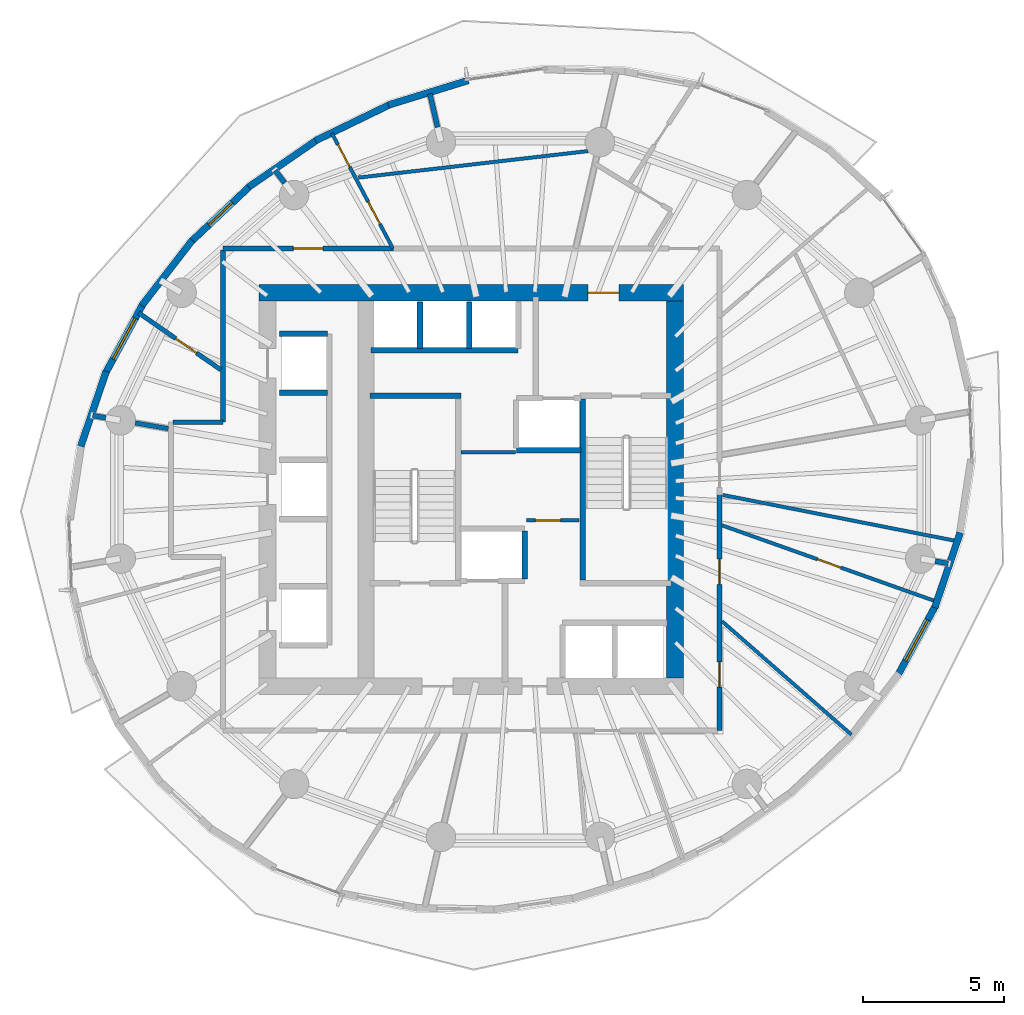
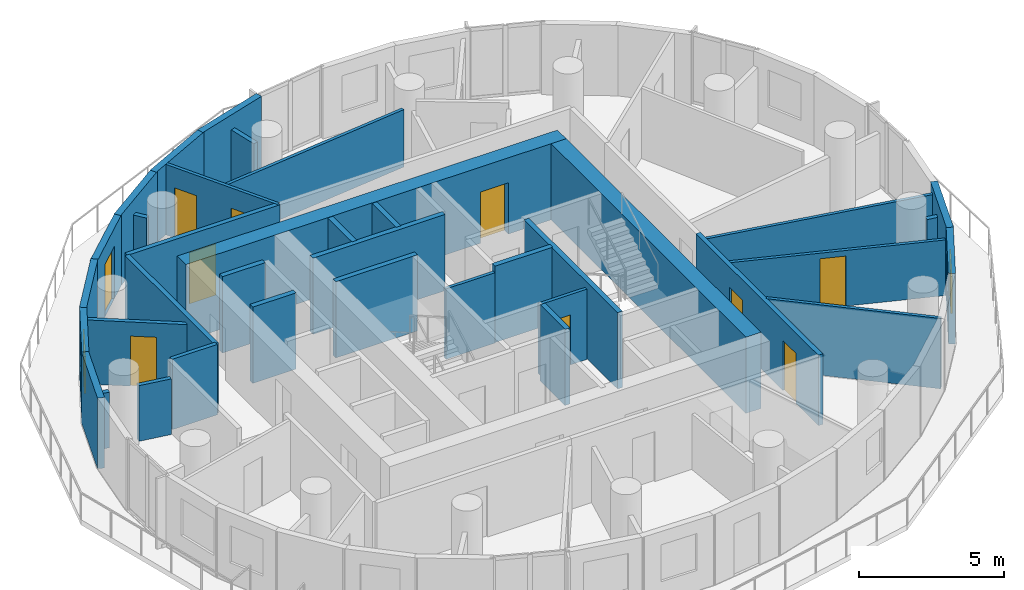
# One storey, part 7 of 14: 37 walls, 10 doors, 2 windows, 12 openings.
"""IFC4 building model written with IfcOpenShell, lengths in metres."""

from ifc_helpers import new_model, si_unit, direction, frame, frame_2d, origin, place, context, subcontext, project, spatial, rectangle, extrude, material, layer, layer_set, type_object, element, fill, save


model = new_model("IFC4")

# Units and contexts
model_context = context("Model", 3, precision=1e-05, world=origin(), true_north=direction((0.0, 1.0)))
body_context = subcontext(model_context, "Body", "Model", "MODEL_VIEW")
ifc_project = project(units=[si_unit("LENGTHUNIT", "METRE"), si_unit("AREAUNIT", "SQUARE_METRE"), si_unit("VOLUMEUNIT", "CUBIC_METRE"), si_unit("PLANEANGLEUNIT", "RADIAN"), si_unit("MASSUNIT", "GRAM", prefix="KILO")], contexts=[model_context])

# Site, building, storey
site_placement = place(None, origin())
site = spatial("IfcSite", under=ifc_project, at=site_placement, CompositionType="ELEMENT")
building_placement = place(site_placement, origin())
building = spatial("IfcBuilding", under=site, at=building_placement, Name="Veldorim Arch Residences", CompositionType="ELEMENT")
storey_placement = place(building_placement, frame((0.0, 0.0, 123.360107421875)))
storey = spatial("IfcBuildingStorey", under=building, at=storey_placement, Name="L36", CompositionType="ELEMENT", Elevation=123.360107421875)

# Wall, opening, door
ifc_material_1 = material(Name="Acoustic Gypsum Board", Category="gypsum")
ifc_layer_1 = layer(ifc_material_1, 0.125, Name="Acoustic Stud Room Partition Wall 125")
ifc_layer_set_1 = layer_set([ifc_layer_1], Name="Acoustic Gypsum Board")
wall_type_1 = type_object("IfcWallType", Name="Acoustic Stud Room Partition Wall 125", PredefinedType="PARTITIONING", material=ifc_layer_set_1)
wall_1_placement = place(storey_placement, frame((32.219970703125, 22.89990234375, 0.0), z_axis=(0.0, 0.0, 1.0), x_axis=(1.0, 0.0, 0.0)))
wall_1 = element("IfcWall", 1, at=wall_1_placement, inside=storey, type_object=wall_type_1, Name="L36 interior wall WL-CA-L36-2", PredefinedType="PARTITIONING", context=body_context, shape_type="SweptSolid", body=[
    extrude(rectangle(XDim=1.860107421875, YDim=0.125, at=frame_2d((0.93017578125, 0.0))), origin(), (0.0, 0.0, 1.0), 2.954833984375),
])
opening_1_placement = place(wall_1_placement, frame((0.31005859375, 0.0, 0.0)))
opening_1 = element("IfcOpeningElement", 2, at=opening_1_placement, cuts=wall_1, Name="Opening DR-SVC", PredefinedType="OPENING", context=body_context, shape_type="SweptSolid", body=[
    extrude(rectangle(XDim=0.89990234375, YDim=2.10009765625, at=frame_2d((0.449951171875, 1.050048828125))), frame((0.0, 0.072509765625, 0.0), z_axis=(0.0, -1.0, 0.0), x_axis=(1.0, 0.0, 0.0)), (0.0, 0.0, 1.0), 0.14501953125),
])
ifc_material_2 = material(Name="Fire-Rated Steel", Category="steel")
door_type_1 = type_object("IfcDoorType", Name="Riser, Shelter & Plant Room Rated Steel Door 900x2100", OperationType="SINGLE_SWING_LEFT", PredefinedType="DOOR", material=ifc_material_2)
door_1_placement = place(opening_1_placement, origin())
door_1 = element("IfcDoor", 3, at=door_1_placement, inside=storey, type_object=door_type_1, Name="L36 interior door DR-L36-CA1", OperationType="SINGLE_SWING_RIGHT", OverallHeight=2.10009765625, OverallWidth=0.89990234375, PredefinedType="DOOR", context=body_context, shape_type="SweptSolid", body=[
    extrude(rectangle(XDim=0.89990234375, YDim=2.10009765625, at=frame_2d((0.449951171875, 1.050048828125))), frame((0.0, 0.02490234375, 0.0), z_axis=(0.0, -1.0, 0.0), x_axis=(1.0, 0.0, 0.0)), (0.0, 0.0, 1.0), 0.050048828125),
])
fill(opening_1, door_1)

# Walls
wall_2_placement = place(storey_placement, frame((29.889892578125, 25.330078125, 0.0), z_axis=(0.0, 0.0, 1.0), x_axis=(1.0, 0.0, 0.0)))
element("IfcWall", 4, at=wall_2_placement, inside=storey, type_object=wall_type_1, Name="L36 interior wall WL-CA-L36-N", PredefinedType="PARTITIONING", context=body_context, shape_type="SweptSolid", body=[
    extrude(rectangle(XDim=1.940185546875, YDim=0.125, at=frame_2d((0.97021484375, 0.0))), origin(), (0.0, 0.0, 1.0), 2.954833984375),
])
wall_3_placement = place(storey_placement, frame((43.77490234375, 15.27734375, 0.0), z_axis=(0.0, 0.0, 1.0), x_axis=(-0.752092313191, 0.659057776252, 0.0)))
element("IfcWall", 5, at=wall_3_placement, inside=storey, type_object=wall_type_1, Name="L36 interior wall WL-RES-L36-013", PredefinedType="PARTITIONING", context=body_context, shape_type="SweptSolid", body=[
    extrude(rectangle(XDim=6.122314453125, YDim=0.125, at=frame_2d((3.06103515625, 0.0))), origin(), (0.0, 0.0, 1.0), 2.954833984375),
])

# Wall, opening, door
wall_4_placement = place(storey_placement, frame((39.17431640625, 22.723388671875, 0.0), z_axis=(0.0, 0.0, 1.0), x_axis=(0.942245152982, -0.334923978959, 0.0)))
wall_4 = element("IfcWall", 6, at=wall_4_placement, inside=storey, type_object=wall_type_1, Name="L36 interior wall WL-RES-L36-014", PredefinedType="PARTITIONING", context=body_context, shape_type="SweptSolid", body=[
    extrude(rectangle(XDim=8.09423828125, YDim=0.125, at=frame_2d((4.047119140625, 0.0))), origin(), (0.0, 0.0, 1.0), 2.335693359375),
])
opening_2_placement = place(wall_4_placement, frame((3.59716796875, 0.0, 0.0)))
opening_2 = element("IfcOpeningElement", 7, at=opening_2_placement, cuts=wall_4, Name="Opening DR-SVC", PredefinedType="OPENING", context=body_context, shape_type="SweptSolid", body=[
    extrude(rectangle(XDim=0.89990234375, YDim=2.10009765625, at=frame_2d((0.449951171875, 1.050048828125))), frame((0.0, 0.072509765625, 0.0), z_axis=(0.0, -1.0, 0.0), x_axis=(1.0, 0.0, 0.0)), (0.0, 0.0, 1.0), 0.14501953125),
])
door_2_placement = place(opening_2_placement, origin())
door_2 = element("IfcDoor", 8, at=door_2_placement, inside=storey, type_object=door_type_1, Name="L36 interior door DR-RES-L36-006", OperationType="SINGLE_SWING_RIGHT", OverallHeight=2.10009765625, OverallWidth=0.89990234375, PredefinedType="DOOR", context=body_context, shape_type="SweptSolid", body=[
    extrude(rectangle(XDim=0.89990234375, YDim=2.10009765625, at=frame_2d((0.449951171875, 1.050048828125))), frame((0.0, 0.02490234375, 0.0), z_axis=(0.0, -1.0, 0.0), x_axis=(1.0, 0.0, 0.0)), (0.0, 0.0, 1.0), 0.050048828125),
])
fill(opening_2, door_2)

# Wall
wall_5_placement = place(storey_placement, frame((47.53125, 22.163330078125, 0.0), z_axis=(0.0, 0.0, 1.0), x_axis=(-0.981139353497, 0.19330175638, 0.0)))
element("IfcWall", 9, at=wall_5_placement, inside=storey, type_object=wall_type_1, Name="L36 interior wall WL-RES-L36-018", PredefinedType="PARTITIONING", context=body_context, shape_type="SweptSolid", body=[
    extrude(rectangle(XDim=8.49365234375, YDim=0.125, at=frame_2d((4.246826171875, 0.0))), origin(), (0.0, 0.0, 1.0), 2.69189453125),
])

# Wall, openings, doors
wall_6_placement = place(storey_placement, frame((25.287353515625, 36.6796875, 0.0), z_axis=(0.0, 0.0, 1.0), x_axis=(0.467870793746, -0.88379687732, 0.0)))
wall_6 = element("IfcWall", 10, at=wall_6_placement, inside=storey, type_object=wall_type_1, Name="L36 interior wall WL-RES-L36-027", PredefinedType="PARTITIONING", context=body_context, shape_type="SweptSolid", body=[
    extrude(rectangle(XDim=4.638916015625, YDim=0.125, at=frame_2d((2.3193359375, 0.0))), origin(), (0.0, 0.0, 1.0), 2.954833984375),
])
opening_3_placement = place(wall_6_placement, frame((0.462646484375, 0.0, 0.0)))
opening_3 = element("IfcOpeningElement", 11, at=opening_3_placement, cuts=wall_6, Name="Opening DR-INT", PredefinedType="OPENING", context=body_context, shape_type="SweptSolid", body=[
    extrude(rectangle(XDim=0.89990234375, YDim=2.10009765625, at=frame_2d((0.449951171875, 1.050048828125))), frame((0.0, 0.072509765625, 0.0), z_axis=(0.0, -1.0, 0.0), x_axis=(1.0, 0.0, 0.0)), (0.0, 0.0, 1.0), 0.14501953125),
])
opening_4_placement = place(wall_6_placement, frame((2.761474609375, 0.0, 0.0)))
opening_4 = element("IfcOpeningElement", 12, at=opening_4_placement, cuts=wall_6, Name="Opening DR-INT", PredefinedType="OPENING", context=body_context, shape_type="SweptSolid", body=[
    extrude(rectangle(XDim=0.89990234375, YDim=2.10009765625, at=frame_2d((0.449951171875, 1.050048828125))), frame((0.0, 0.072509765625, 0.0), z_axis=(0.0, -1.0, 0.0), x_axis=(1.0, 0.0, 0.0)), (0.0, 0.0, 1.0), 0.14501953125),
])
ifc_material_3 = material(Name="Engineered Timber", Category="wood")
door_type_2 = type_object("IfcDoorType", Name="Apartment Internal Room Timber Door 900x2100", OperationType="SINGLE_SWING_LEFT", PredefinedType="DOOR", material=ifc_material_3)
door_3_placement = place(opening_3_placement, origin())
door_3 = element("IfcDoor", 13, at=door_3_placement, inside=storey, type_object=door_type_2, Name="L36 interior door DR-RES-L36-014", OperationType="SINGLE_SWING_RIGHT", OverallHeight=2.10009765625, OverallWidth=0.89990234375, PredefinedType="DOOR", context=body_context, shape_type="SweptSolid", body=[
    extrude(rectangle(XDim=0.89990234375, YDim=2.10009765625, at=frame_2d((0.449951171875, 1.050048828125))), frame((0.0, 0.02490234375, 0.0), z_axis=(0.0, -1.0, 0.0), x_axis=(1.0, 0.0, 0.0)), (0.0, 0.0, 1.0), 0.050048828125),
])
fill(opening_3, door_3)
door_4_placement = place(opening_4_placement, origin())
door_4 = element("IfcDoor", 14, at=door_4_placement, inside=storey, type_object=door_type_2, Name="L36 interior door DR-RES-L36-015", OperationType="SINGLE_SWING_LEFT", OverallHeight=2.10009765625, OverallWidth=0.89990234375, PredefinedType="DOOR", context=body_context, shape_type="SweptSolid", body=[
    extrude(rectangle(XDim=0.89990234375, YDim=2.10009765625, at=frame_2d((0.449951171875, 1.050048828125))), frame((0.0, 0.02490234375, 0.0), z_axis=(0.0, -1.0, 0.0), x_axis=(1.0, 0.0, 0.0)), (0.0, 0.0, 1.0), 0.050048828125),
])
fill(opening_4, door_4)

# Walls
wall_7_placement = place(storey_placement, frame((34.405029296875, 36.041015625, 0.0), z_axis=(0.0, 0.0, 1.0), x_axis=(-0.993396455776, -0.114732217146, 0.0)))
element("IfcWall", 15, at=wall_7_placement, inside=storey, type_object=wall_type_1, Name="L36 interior wall WL-RES-L36-029", PredefinedType="PARTITIONING", context=body_context, shape_type="SweptSolid", body=[
    extrude(rectangle(XDim=8.228759765625, YDim=0.125, at=frame_2d((4.1142578125, 0.0))), origin(), (0.0, 0.0, 1.0), 2.4111328125),
])
ifc_material_4 = material(Name="Lightweight Masonry Block & Gypsum", Category="masonry")
ifc_layer_2 = layer(ifc_material_4, 0.179931640625, Name="Compartment & Corridor Fire-Rated Party Wall 180")
ifc_layer_set_2 = layer_set([ifc_layer_2], Name="Lightweight Masonry Block & Gypsum")
wall_type_2 = type_object("IfcWallType", Name="Compartment & Corridor Fire-Rated Party Wall 180", PredefinedType="PARTITIONING", material=ifc_layer_set_2)
wall_8_placement = place(storey_placement, frame((29.049560546875, 36.88916015625, 0.0), z_axis=(0.0, 0.0, 1.0), x_axis=(-0.223107064029, 0.974793946422, 0.0)))
element("IfcWall", 16, at=wall_8_placement, inside=storey, type_object=wall_type_2, Name="L36 interior wall WL-PIER-L36-05", PredefinedType="PARTITIONING", context=body_context, shape_type="SweptSolid", body=[
    extrude(rectangle(XDim=1.22119140625, YDim=0.179931640625, at=frame_2d((0.610595703125, 0.0))), origin(), (0.0, 0.0, 1.0), 2.335693359375),
])
wall_9_placement = place(storey_placement, frame((23.612060546875, 34.908447265625, 0.0), z_axis=(0.0, 0.0, 1.0), x_axis=(-0.609498830183, 0.792786967605, 0.0)))
element("IfcWall", 17, at=wall_9_placement, inside=storey, type_object=wall_type_2, Name="L36 interior wall WL-PIER-L36-06", PredefinedType="PARTITIONING", context=body_context, shape_type="SweptSolid", body=[
    extrude(rectangle(XDim=0.556884765625, YDim=0.179931640625, at=frame_2d((0.2783203125, 0.0))), origin(), (0.0, 0.0, 1.0), 2.335693359375),
])
for number, where, z_axis, x_axis, name in (
    (18, (17.24169921875, 26.55078125, 0.0), (0.0, 0.0, 1.0), (-0.985345448397, 0.170570651999, 0.0), "L36 interior wall WL-PIER-L36-08"),
    (19, (46.75830078125, 21.44921875, 0.0), (0.0, 0.0, 1.0), (0.985345448397, -0.170570651999, 0.0), "L36 interior wall WL-PIER-L36-16"),
):
    element("IfcWall", number, at=place(storey_placement, frame(where, z_axis=z_axis, x_axis=x_axis)), inside=storey, type_object=wall_type_2, Name=name, PredefinedType="PARTITIONING", context=body_context, shape_type="SweptSolid", body=[
        extrude(rectangle(XDim=0.468017578125, YDim=0.179931640625, at=frame_2d((0.23388671875, 0.0))), origin(), (0.0, 0.0, 1.0), 2.335693359375),
    ])

# Wall, openings, doors
wall_10_placement = place(storey_placement, frame((39.080078125, 23.848388671875, 0.0), z_axis=(0.0, 0.0, 1.0), x_axis=(0.0, -1.0, 0.0)))
wall_10 = element("IfcWall", 20, at=wall_10_placement, inside=storey, type_object=wall_type_2, Name="L36 interior wall WL-RES-L36-001", PredefinedType="PARTITIONING", context=body_context, shape_type="SweptSolid", body=[
    extrude(rectangle(XDim=8.428466796875, YDim=0.179931640625, at=frame_2d((4.21435546875, 0.0))), origin(), (0.0, 0.0, 1.0), 2.954833984375),
])
opening_5_placement = place(wall_10_placement, frame((2.327392578125, 0.0, 0.0)))
opening_5 = element("IfcOpeningElement", 21, at=opening_5_placement, cuts=wall_10, Name="Opening DR-SVC", PredefinedType="OPENING", context=body_context, shape_type="SweptSolid", body=[
    extrude(rectangle(XDim=0.89990234375, YDim=2.10009765625, at=frame_2d((0.449951171875, 1.050048828125))), frame((0.0, 0.099853515625, 0.0), z_axis=(0.0, -1.0, 0.0), x_axis=(1.0, 0.0, 0.0)), (0.0, 0.0, 1.0), 0.199951171875),
])
opening_6_placement = place(wall_10_placement, frame((5.982666015625, 0.0, 0.0)))
opening_6 = element("IfcOpeningElement", 22, at=opening_6_placement, cuts=wall_10, Name="Opening DR-INT", PredefinedType="OPENING", context=body_context, shape_type="SweptSolid", body=[
    extrude(rectangle(XDim=0.89990234375, YDim=2.10009765625, at=frame_2d((0.449951171875, 1.050048828125))), frame((0.0, 0.099853515625, 0.0), z_axis=(0.0, -1.0, 0.0), x_axis=(1.0, 0.0, 0.0)), (0.0, 0.0, 1.0), 0.199951171875),
])
door_5_placement = place(opening_6_placement, origin())
door_5 = element("IfcDoor", 23, at=door_5_placement, inside=storey, type_object=door_type_2, Name="L36 interior door DR-RES-L36-002", OperationType="SINGLE_SWING_RIGHT", OverallHeight=2.10009765625, OverallWidth=0.89990234375, PredefinedType="DOOR", context=body_context, shape_type="SweptSolid", body=[
    extrude(rectangle(XDim=0.89990234375, YDim=2.10009765625, at=frame_2d((0.449951171875, 1.050048828125))), frame((0.0, 0.02490234375, 0.0), z_axis=(0.0, -1.0, 0.0), x_axis=(1.0, 0.0, 0.0)), (0.0, 0.0, 1.0), 0.050048828125),
])
fill(opening_6, door_5)
door_6_placement = place(opening_5_placement, origin())
door_6 = element("IfcDoor", 24, at=door_6_placement, inside=storey, type_object=door_type_1, Name="L36 interior door DR-RES-L36-001", OperationType="SINGLE_SWING_LEFT", OverallHeight=2.10009765625, OverallWidth=0.89990234375, PredefinedType="DOOR", context=body_context, shape_type="SweptSolid", body=[
    extrude(rectangle(XDim=0.89990234375, YDim=2.10009765625, at=frame_2d((0.449951171875, 1.050048828125))), frame((0.0, 0.02490234375, 0.0), z_axis=(0.0, -1.0, 0.0), x_axis=(1.0, 0.0, 0.0)), (0.0, 0.0, 1.0), 0.050048828125),
])
fill(opening_5, door_6)

# Wall, opening, door
wall_11_placement = place(storey_placement, frame((21.419921875, 32.580078125, 0.0), z_axis=(0.0, 0.0, 1.0), x_axis=(1.0, 0.0, 0.0)))
wall_11 = element("IfcWall", 25, at=wall_11_placement, inside=storey, type_object=wall_type_2, Name="L36 interior wall WL-RES-L36-006", PredefinedType="PARTITIONING", context=body_context, shape_type="SweptSolid", body=[
    extrude(rectangle(XDim=6.057861328125, YDim=0.179931640625, at=frame_2d((3.02880859375, 0.0))), origin(), (0.0, 0.0, 1.0), 2.954833984375),
])
opening_7_placement = place(wall_11_placement, frame((2.50390625, 0.0, 0.0)))
opening_7 = element("IfcOpeningElement", 26, at=opening_7_placement, cuts=wall_11, Name="Opening DR-FLT", PredefinedType="OPENING", context=body_context, shape_type="SweptSolid", body=[
    extrude(rectangle(XDim=1.050048828125, YDim=2.14990234375, at=frame_2d((0.52490234375, 1.074951171875))), frame((0.0, 0.099853515625, 0.0), z_axis=(0.0, -1.0, 0.0), x_axis=(1.0, 0.0, 0.0)), (0.0, 0.0, 1.0), 0.199951171875),
])
ifc_material_5 = material(Name="Fire-Rated Timber", Category="wood")
door_type_3 = type_object("IfcDoorType", Name="Apartment Entrance Solid-Core Fire Door 1050x2150", OperationType="SINGLE_SWING_LEFT", PredefinedType="DOOR", material=ifc_material_5)
door_7_placement = place(opening_7_placement, origin())
door_7 = element("IfcDoor", 27, at=door_7_placement, inside=storey, type_object=door_type_3, Name="L36 interior door DR-RES-L36-012", OperationType="SINGLE_SWING_RIGHT", OverallHeight=2.14990234375, OverallWidth=1.050048828125, PredefinedType="DOOR", context=body_context, shape_type="SweptSolid", body=[
    extrude(rectangle(XDim=1.050048828125, YDim=2.14990234375, at=frame_2d((0.52490234375, 1.074951171875))), frame((0.0, 0.02490234375, 0.0), z_axis=(0.0, -1.0, 0.0), x_axis=(1.0, 0.0, 0.0)), (0.0, 0.0, 1.0), 0.050048828125),
])
fill(opening_7, door_7)

# Walls
wall_12_placement = place(storey_placement, frame((21.419921875, 26.39990234375, 0.0), z_axis=(0.0, 0.0, 1.0), x_axis=(0.0, 1.0, 0.0)))
element("IfcWall", 28, at=wall_12_placement, inside=storey, type_object=wall_type_2, Name="L36 interior wall WL-RES-L36-007", PredefinedType="PARTITIONING", context=body_context, shape_type="SweptSolid", body=[
    extrude(rectangle(XDim=6.1201171875, YDim=0.179931640625, at=frame_2d((3.06005859375, 0.0))), origin(), (0.0, 0.0, 1.0), 2.954833984375),
])
ifc_material_6 = material(Name="Concrete C50/60", Category="concrete")
ifc_layer_3 = layer(ifc_material_6, 0.199951171875, Name="Core Stair & Lift Shaft Enclosure Wall 200")
ifc_layer_set_3 = layer_set([ifc_layer_3], Name="Concrete C50/60")
wall_type_3 = type_object("IfcWallType", Name="Core Stair & Lift Shaft Enclosure Wall 200", PredefinedType="SHEAR", material=ifc_layer_set_3)
wall_13_placement = place(storey_placement, frame((26.64990234375, 27.330078125, 0.0), z_axis=(0.0, 0.0, 1.0), x_axis=(1.0, 0.0, 0.0)))
element("IfcWall", 29, at=wall_13_placement, inside=storey, type_object=wall_type_3, Name="L36 shaft wall WL-SHF-L36-ST1-N", PredefinedType="SHEAR", context=body_context, shape_type="SweptSolid", body=[
    extrude(rectangle(XDim=3.239990234375, YDim=0.199951171875, at=frame_2d((1.6201171875, 0.0))), origin(), (0.0, 0.0, 1.0), 3.199951171875),
])
wall_14_placement = place(storey_placement, frame((34.2099609375, 20.780029296875, 0.0), z_axis=(0.0, 0.0, 1.0), x_axis=(0.0, 1.0, 0.0)))
element("IfcWall", 30, at=wall_14_placement, inside=storey, type_object=wall_type_3, Name="L36 shaft wall WL-SHF-L36-ST2-W", PredefinedType="SHEAR", context=body_context, shape_type="SweptSolid", body=[
    extrude(rectangle(XDim=6.43994140625, YDim=0.199951171875, at=frame_2d((3.219970703125, 0.0))), origin(), (0.0, 0.0, 1.0), 3.199951171875),
])
wall_15_placement = place(storey_placement, frame((32.14990234375, 20.820068359375, 0.0), z_axis=(0.0, 0.0, 1.0), x_axis=(0.0, 1.0, 0.0)))
element("IfcWall", 31, at=wall_15_placement, inside=storey, type_object=wall_type_3, Name="L36 shaft wall WL-FL01-L36-E", PredefinedType="SHEAR", context=body_context, shape_type="SweptSolid", body=[
    extrude(rectangle(XDim=1.7099609375, YDim=0.199951171875, at=frame_2d((0.85498046875, 0.0))), origin(), (0.0, 0.0, 1.0), 3.199951171875),
])
wall_16_placement = place(storey_placement, frame((31.85009765625, 25.39990234375, 0.0), z_axis=(0.0, 0.0, 1.0), x_axis=(1.0, 0.0, 0.0)))
element("IfcWall", 32, at=wall_16_placement, inside=storey, type_object=wall_type_3, Name="L36 shaft wall WL-FL02-L36-S", PredefinedType="SHEAR", context=body_context, shape_type="SweptSolid", body=[
    extrude(rectangle(XDim=2.2998046875, YDim=0.199951171875, at=frame_2d((1.14990234375, 0.0))), origin(), (0.0, 0.0, 1.0), 3.199951171875),
])
for number, where, z_axis, x_axis, name in (
    (33, (23.419921875, 29.5400390625, 0.0), (0.0, 0.0, 1.0), (1.0, 0.0, 0.0), "L36 shaft wall WL-B2-L36-N"),
    (34, (23.419921875, 27.43994140625, 0.0), (0.0, 0.0, 1.0), (1.0, 0.0, 0.0), "L36 shaft wall WL-B2-L36-D2B"),
):
    element("IfcWall", number, at=place(storey_placement, frame(where, z_axis=z_axis, x_axis=x_axis)), inside=storey, type_object=wall_type_3, Name=name, PredefinedType="SHEAR", context=body_context, shape_type="SweptSolid", body=[
        extrude(rectangle(XDim=1.7099609375, YDim=0.199951171875, at=frame_2d((0.85498046875, 0.0))), origin(), (0.0, 0.0, 1.0), 3.199951171875),
    ])
wall_17_placement = place(storey_placement, frame((26.679931640625, 28.949951171875, 0.0), z_axis=(0.0, 0.0, 1.0), x_axis=(1.0, 0.0, 0.0)))
element("IfcWall", 35, at=wall_17_placement, inside=storey, type_object=wall_type_3, Name="L36 shaft wall WL-B3-L36-S", PredefinedType="SHEAR", context=body_context, shape_type="SweptSolid", body=[
    extrude(rectangle(XDim=5.239990234375, YDim=0.199951171875, at=frame_2d((2.6201171875, 0.0))), origin(), (0.0, 0.0, 1.0), 3.199951171875),
])
for number, where, z_axis, x_axis, name in (
    (36, (28.425048828125, 29.02001953125, 0.0), (0.0, 0.0, 1.0), (0.0, 1.0, 0.0), "L36 shaft wall WL-B3-L36-D1"),
    (37, (30.175048828125, 29.02001953125, 0.0), (0.0, 0.0, 1.0), (0.0, 1.0, 0.0), "L36 shaft wall WL-B3-L36-D2"),
):
    element("IfcWall", number, at=place(storey_placement, frame(where, z_axis=z_axis, x_axis=x_axis)), inside=storey, type_object=wall_type_3, Name=name, PredefinedType="SHEAR", context=body_context, shape_type="SweptSolid", body=[
        extrude(rectangle(XDim=1.659912109375, YDim=0.199951171875, at=frame_2d((0.830078125, 0.0))), origin(), (0.0, 0.0, 1.0), 3.199951171875),
    ])

# Wall, opening, door
ifc_material_7 = material(Name="Concrete C50/60", Category="concrete")
ifc_layer_4 = layer(ifc_material_7, 0.60009765625, Name="Mid-Upper Central Core Shear Wall 600")
ifc_layer_set_4 = layer_set([ifc_layer_4], Name="Concrete C50/60")
wall_type_4 = type_object("IfcWallType", Name="Mid-Upper Central Core Shear Wall 600", PredefinedType="SHEAR", material=ifc_layer_set_4)
wall_18_placement = place(storey_placement, frame((22.699951171875, 31.0, 0.0), z_axis=(0.0, 0.0, 1.0), x_axis=(1.0, 0.0, 0.0)))
wall_18 = element("IfcWall", 38, at=wall_18_placement, inside=storey, type_object=wall_type_4, Name="L36 central core north shear wall", PredefinedType="SHEAR", context=body_context, shape_type="SweptSolid", body=[
    extrude(rectangle(XDim=15.10009765625, YDim=0.60009765625, at=frame_2d((7.550048828125, 0.0))), origin(), (0.0, 0.0, 1.0), 3.199951171875),
])
opening_8_placement = place(wall_18_placement, frame((11.699951171875, 0.0, 0.0)))
opening_8 = element("IfcOpeningElement", 39, at=opening_8_placement, cuts=wall_18, Name="Opening DR-FFL", PredefinedType="OPENING", context=body_context, shape_type="SweptSolid", body=[
    extrude(rectangle(XDim=1.10009765625, YDim=2.14990234375, at=frame_2d((0.550048828125, 1.074951171875))), frame((0.0, 0.31005859375, 0.0), z_axis=(0.0, -1.0, 0.0), x_axis=(1.0, 0.0, 0.0)), (0.0, 0.0, 1.0), 0.6201171875),
])
ifc_material_8 = material(Name="Fire-Rated Steel & Vision Glass", Category="steel")
door_type_4 = type_object("IfcDoorType", Name="Firefighting Lobby Smoke-Stop Fire Door 1100x2150", OperationType="SINGLE_SWING_LEFT", PredefinedType="DOOR", material=ifc_material_8)
door_8_placement = place(opening_8_placement, origin())
door_8 = element("IfcDoor", 40, at=door_8_placement, inside=storey, type_object=door_type_4, Name="L36 interior door DR-L36-FFL2", OperationType="SINGLE_SWING_LEFT", OverallHeight=2.14990234375, OverallWidth=1.10009765625, PredefinedType="DOOR", context=body_context, shape_type="SweptSolid", body=[
    extrude(rectangle(XDim=1.10009765625, YDim=2.14990234375, at=frame_2d((0.550048828125, 1.074951171875))), frame((0.0, 0.02490234375, 0.0), z_axis=(0.0, -1.0, 0.0), x_axis=(1.0, 0.0, 0.0)), (0.0, 0.0, 1.0), 0.050048828125),
])
fill(opening_8, door_8)

# Walls
wall_19_placement = place(storey_placement, frame((37.5, 17.300048828125, 0.0), z_axis=(0.0, 0.0, 1.0), x_axis=(0.0, 1.0, 0.0)))
element("IfcWall", 41, at=wall_19_placement, inside=storey, type_object=wall_type_4, Name="L36 central core east shear wall", PredefinedType="SHEAR", context=body_context, shape_type="SweptSolid", body=[
    extrude(rectangle(XDim=13.39990234375, YDim=0.60009765625, at=frame_2d((6.699951171875, 0.0))), origin(), (0.0, 0.0, 1.0), 3.199951171875),
])
ifc_material_9 = material(Name="Precast concrete C40/50", Category="concrete")
ifc_layer_5 = layer(ifc_material_9, 0.25, Name="Tower Terracotta Spandrel & Pier Wall 250")
ifc_layer_set_5 = layer_set([ifc_layer_5], Name="Precast concrete C40/50")
wall_type_5 = type_object("IfcWallType", Name="Tower Terracotta Spandrel & Pier Wall 250", PredefinedType="SOLIDWALL", material=ifc_layer_set_5)
wall_20_placement = place(storey_placement, frame((27.297607421875, 37.681396484375, 0.0), z_axis=(0.0, 0.0, 1.0), x_axis=(0.955653025963, 0.294494981227, 0.0)))
element("IfcWall", 42, at=wall_20_placement, inside=storey, type_object=wall_type_5, Name="L36 terracotta facade wall 08", PredefinedType="SOLIDWALL", context=body_context, shape_type="SweptSolid", body=[
    extrude(rectangle(XDim=2.97705078125, YDim=0.25, at=frame_2d((1.488525390625, 0.0))), origin(), (0.0, 0.0, 1.0), 2.9599609375),
])
for number, where, z_axis, x_axis, name in (
    (43, (24.701416015625, 36.412109375, 0.0), (0.0, 0.0, 1.0), (0.899657133161, 0.436597117206, 0.0), "L36 terracotta facade wall 09"),
    (44, (22.3271484375, 34.7646484375, 0.0), (0.0, 0.0, 1.0), (0.823228532994, 0.567710121863, 0.0), "L36 terracotta facade wall 10"),
):
    element("IfcWall", number, at=place(storey_placement, frame(where, z_axis=z_axis, x_axis=x_axis)), inside=storey, type_object=wall_type_5, Name=name, PredefinedType="SOLIDWALL", context=body_context, shape_type="SweptSolid", body=[
        extrude(rectangle(XDim=2.998291015625, YDim=0.25, at=frame_2d((1.4990234375, 0.0))), origin(), (0.0, 0.0, 1.0), 2.9599609375),
    ])

# Wall, opening, door
wall_21_placement = place(storey_placement, frame((20.2470703125, 32.789306640625, 0.0), z_axis=(0.0, 0.0, 1.0), x_axis=(0.727113217486, 0.686517566386, 0.0)))
wall_21 = element("IfcWall", 45, at=wall_21_placement, inside=storey, type_object=wall_type_5, Name="L36 terracotta facade wall 11", PredefinedType="SOLIDWALL", context=body_context, shape_type="SweptSolid", body=[
    extrude(rectangle(XDim=2.976806640625, YDim=0.25, at=frame_2d((1.48828125, 0.0))), origin(), (0.0, 0.0, 1.0), 2.9599609375),
])
opening_9_placement = place(wall_21_placement, frame((0.9140625, 0.0, 0.0)))
opening_9 = element("IfcOpeningElement", 46, at=opening_9_placement, cuts=wall_21, Name="Opening BL-DR", PredefinedType="OPENING", context=body_context, shape_type="SweptSolid", body=[
    extrude(rectangle(XDim=1.14990234375, YDim=2.199951171875, at=frame_2d((0.574951171875, 1.10009765625))), frame((0.0, 0.135009765625, 0.0), z_axis=(0.0, -1.0, 0.0), x_axis=(1.0, 0.0, 0.0)), (0.0, 0.0, 1.0), 0.27001953125),
])
ifc_material_10 = material(Name="Aluminium & Low-E Glass", Category="aluminium")
door_type_5 = type_object("IfcDoorType", Name="Glazed Planted Balcony Door 1150x2200", OperationType="SINGLE_SWING_LEFT", PredefinedType="DOOR", material=ifc_material_10)
door_9_placement = place(opening_9_placement, origin())
door_9 = element("IfcDoor", 47, at=door_9_placement, inside=storey, type_object=door_type_5, Name="L36 glazed outdoor terrace door BALC-1", OperationType="SINGLE_SWING_LEFT", OverallHeight=2.199951171875, OverallWidth=1.14990234375, PredefinedType="DOOR", context=body_context, shape_type="SweptSolid", body=[
    extrude(rectangle(XDim=1.14990234375, YDim=2.199951171875, at=frame_2d((0.574951171875, 1.10009765625))), frame((0.0, 0.02490234375, 0.0), z_axis=(0.0, -1.0, 0.0), x_axis=(1.0, 0.0, 0.0)), (0.0, 0.0, 1.0), 0.050048828125),
])
fill(opening_9, door_9)

# Wall
wall_22_placement = place(storey_placement, frame((18.524658203125, 30.54638671875, 0.0), z_axis=(0.0, 0.0, 1.0), x_axis=(0.611416743811, 0.791308767415, 0.0)))
element("IfcWall", 48, at=wall_22_placement, inside=storey, type_object=wall_type_5, Name="L36 terracotta facade wall 12", PredefinedType="SOLIDWALL", context=body_context, shape_type="SweptSolid", body=[
    extrude(rectangle(XDim=2.936767578125, YDim=0.25, at=frame_2d((1.46826171875, 0.0))), origin(), (0.0, 0.0, 1.0), 2.9599609375),
])

# Wall, opening, window
wall_23_placement = place(storey_placement, frame((17.212890625, 28.10400390625, 0.0), z_axis=(0.0, 0.0, 1.0), x_axis=(0.476018404115, 0.879435318226, 0.0)))
wall_23 = element("IfcWall", 49, at=wall_23_placement, inside=storey, type_object=wall_type_5, Name="L36 terracotta facade wall 13", PredefinedType="SOLIDWALL", context=body_context, shape_type="SweptSolid", body=[
    extrude(rectangle(XDim=2.8818359375, YDim=0.25, at=frame_2d((1.44091796875, 0.0))), origin(), (0.0, 0.0, 1.0), 2.9599609375),
])
opening_10_placement = place(wall_23_placement, frame((0.615966796875, 0.0, 0.85009765625)))
opening_10 = element("IfcOpeningElement", 50, at=opening_10_placement, cuts=wall_23, Name="Opening WN-03", PredefinedType="OPENING", context=body_context, shape_type="SweptSolid", body=[
    extrude(rectangle(XDim=1.64990234375, YDim=1.550048828125, at=frame_2d((0.824951171875, 0.77490234375))), frame((0.0, 0.135009765625, 0.0), z_axis=(0.0, -1.0, 0.0), x_axis=(1.0, 0.0, 0.0)), (0.0, 0.0, 1.0), 0.27001953125),
])
ifc_material_11 = material(Name="Laminated Low-E Glass", Category="glass")
window_type = type_object("IfcWindowType", Name="Residential Wide Window 1650x1550", PartitioningType="SINGLE_PANEL", PredefinedType="WINDOW", material=ifc_material_11)
window_1_placement = place(opening_10_placement, origin())
window_1 = element("IfcWindow", 51, at=window_1_placement, inside=storey, type_object=window_type, Name="L36 solar-control facade window 13", OverallHeight=1.550048828125, OverallWidth=1.64990234375, PartitioningType="SINGLE_PANEL", PredefinedType="WINDOW", context=body_context, shape_type="SweptSolid", body=[
    extrude(rectangle(XDim=1.64990234375, YDim=1.550048828125, at=frame_2d((0.824951171875, 0.77490234375))), frame((0.0, 0.030029296875, 0.0), z_axis=(0.0, -1.0, 0.0), x_axis=(1.0, 0.0, 0.0)), (0.0, 0.0, 1.0), 0.06005859375),
])
fill(opening_10, window_1)

# Wall
wall_24_placement = place(storey_placement, frame((16.351318359375, 25.53759765625, 0.0), z_axis=(0.0, 0.0, 1.0), x_axis=(0.321473951892, 0.946918422175, 0.0)))
element("IfcWall", 52, at=wall_24_placement, inside=storey, type_object=wall_type_5, Name="L36 terracotta facade wall 14", PredefinedType="SOLIDWALL", context=body_context, shape_type="SweptSolid", body=[
    extrude(rectangle(XDim=2.817626953125, YDim=0.25, at=frame_2d((1.40869140625, 0.0))), origin(), (0.0, 0.0, 1.0), 2.9599609375),
])

# Wall, opening, window
wall_25_placement = place(storey_placement, frame((46.787109375, 19.89599609375, 0.0), z_axis=(0.0, 0.0, 1.0), x_axis=(-0.476018404115, -0.879435318226, 0.0)))
wall_25 = element("IfcWall", 53, at=wall_25_placement, inside=storey, type_object=wall_type_5, Name="L36 terracotta facade wall 31", PredefinedType="SOLIDWALL", context=body_context, shape_type="SweptSolid", body=[
    extrude(rectangle(XDim=2.8818359375, YDim=0.25, at=frame_2d((1.44091796875, 0.0))), origin(), (0.0, 0.0, 1.0), 2.9599609375),
])
opening_11_placement = place(wall_25_placement, frame((0.615966796875, 0.0, 0.85009765625)))
opening_11 = element("IfcOpeningElement", 54, at=opening_11_placement, cuts=wall_25, Name="Opening WN-03", PredefinedType="OPENING", context=body_context, shape_type="SweptSolid", body=[
    extrude(rectangle(XDim=1.64990234375, YDim=1.550048828125, at=frame_2d((0.824951171875, 0.77490234375))), frame((0.0, 0.135009765625, 0.0), z_axis=(0.0, -1.0, 0.0), x_axis=(1.0, 0.0, 0.0)), (0.0, 0.0, 1.0), 0.27001953125),
])
window_2_placement = place(opening_11_placement, origin())
window_2 = element("IfcWindow", 55, at=window_2_placement, inside=storey, type_object=window_type, Name="L36 solar-control facade window 31", OverallHeight=1.550048828125, OverallWidth=1.64990234375, PartitioningType="SINGLE_PANEL", PredefinedType="WINDOW", context=body_context, shape_type="SweptSolid", body=[
    extrude(rectangle(XDim=1.64990234375, YDim=1.550048828125, at=frame_2d((0.824951171875, 0.77490234375))), frame((0.0, 0.030029296875, 0.0), z_axis=(0.0, -1.0, 0.0), x_axis=(1.0, 0.0, 0.0)), (0.0, 0.0, 1.0), 0.06005859375),
])
fill(opening_11, window_2)

# Walls
wall_26_placement = place(storey_placement, frame((47.648681640625, 22.46240234375, 0.0), z_axis=(0.0, 0.0, 1.0), x_axis=(-0.321473951892, -0.946918422175, 0.0)))
element("IfcWall", 56, at=wall_26_placement, inside=storey, type_object=wall_type_5, Name="L36 terracotta facade wall 32", PredefinedType="SOLIDWALL", context=body_context, shape_type="SweptSolid", body=[
    extrude(rectangle(XDim=2.817626953125, YDim=0.25, at=frame_2d((1.40869140625, 0.0))), origin(), (0.0, 0.0, 1.0), 2.9599609375),
])
ifc_material_12 = material(Name="Moisture-Resistant Gypsum & Stud", Category="gypsum")
ifc_layer_6 = layer(ifc_material_12, 0.159912109375, Name="Wet-Area Moisture-Resistant Plumbing Wall 160")
ifc_layer_set_6 = layer_set([ifc_layer_6], Name="Moisture-Resistant Gypsum & Stud")
wall_type_6 = type_object("IfcWallType", Name="Wet-Area Moisture-Resistant Plumbing Wall 160", PredefinedType="PLUMBINGWALL", material=ifc_layer_set_6)
wall_27_placement = place(storey_placement, frame((19.6298828125, 26.39990234375, 0.0), z_axis=(0.0, 0.0, 1.0), x_axis=(1.0, 0.0, 0.0)))
element("IfcWall", 57, at=wall_27_placement, inside=storey, type_object=wall_type_6, Name="L36 interior wall WL-RES-L36-009", PredefinedType="PLUMBINGWALL", context=body_context, shape_type="SweptSolid", body=[
    extrude(rectangle(XDim=1.7900390625, YDim=0.159912109375, at=frame_2d((0.89501953125, 0.0))), origin(), (0.0, 0.0, 1.0), 2.954833984375),
])

# Wall, opening, door
wall_28_placement = place(storey_placement, frame((21.337890625, 28.260498046875, 0.0), z_axis=(0.0, 0.0, 1.0), x_axis=(-0.822095882312, 0.569349067168, 0.0)))
wall_28 = element("IfcWall", 58, at=wall_28_placement, inside=storey, type_object=wall_type_6, Name="L36 interior wall WL-RES-L36-026", PredefinedType="PLUMBINGWALL", context=body_context, shape_type="SweptSolid", body=[
    extrude(rectangle(XDim=3.5595703125, YDim=0.159912109375, at=frame_2d((1.77978515625, 0.0))), origin(), (0.0, 0.0, 1.0), 2.69189453125),
])
opening_12_placement = place(wall_28_placement, frame((1.0498046875, 0.0, 0.0)))
opening_12 = element("IfcOpeningElement", 59, at=opening_12_placement, cuts=wall_28, Name="Opening DR-WC", PredefinedType="OPENING", context=body_context, shape_type="SweptSolid", body=[
    extrude(rectangle(XDim=0.89990234375, YDim=2.10009765625, at=frame_2d((0.449951171875, 1.050048828125))), frame((0.0, 0.08984375, 0.0), z_axis=(0.0, -1.0, 0.0), x_axis=(1.0, 0.0, 0.0)), (0.0, 0.0, 1.0), 0.179931640625),
])
ifc_material_13 = material(Name="Laminate Timber", Category="wood")
door_type_6 = type_object("IfcDoorType", Name="Bathroom & Accessible WC Moisture-Sealed Door 900x2100", OperationType="SINGLE_SWING_LEFT", PredefinedType="DOOR", material=ifc_material_13)
door_10_placement = place(opening_12_placement, origin())
door_10 = element("IfcDoor", 60, at=door_10_placement, inside=storey, type_object=door_type_6, Name="L36 interior door DR-RES-L36-013", OperationType="SINGLE_SWING_LEFT", OverallHeight=2.10009765625, OverallWidth=0.89990234375, PredefinedType="DOOR", context=body_context, shape_type="SweptSolid", body=[
    extrude(rectangle(XDim=0.89990234375, YDim=2.10009765625, at=frame_2d((0.449951171875, 1.050048828125))), frame((0.0, 0.02490234375, 0.0), z_axis=(0.0, -1.0, 0.0), x_axis=(1.0, 0.0, 0.0)), (0.0, 0.0, 1.0), 0.050048828125),
])
fill(opening_12, door_10)

# Wall
wall_29_placement = place(storey_placement, frame((19.471435546875, 26.16552734375, 0.0), z_axis=(0.0, 0.0, 1.0), x_axis=(-0.985385550807, 0.170338827815, 0.0)))
element("IfcWall", 61, at=wall_29_placement, inside=storey, type_object=wall_type_6, Name="L36 interior wall WL-RES-L36-028", PredefinedType="PLUMBINGWALL", context=body_context, shape_type="SweptSolid", body=[
    extrude(rectangle(XDim=1.1923828125, YDim=0.159912109375, at=frame_2d((0.59619140625, 0.0))), origin(), (0.0, 0.0, 1.0), 2.335693359375),
])

save(model, "model.ifc")
